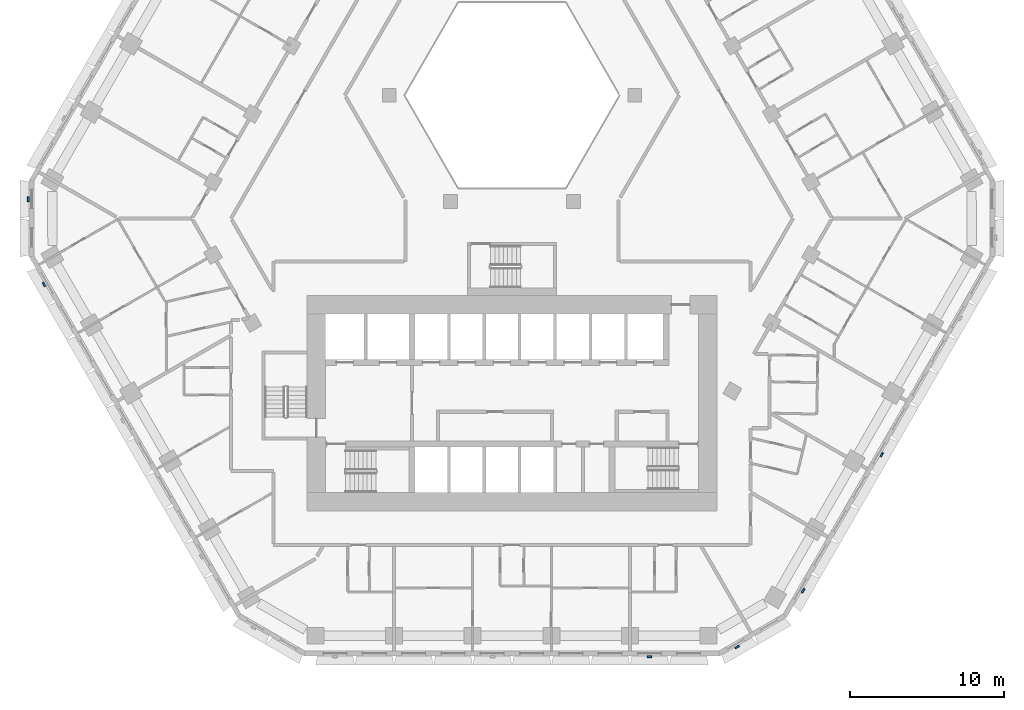
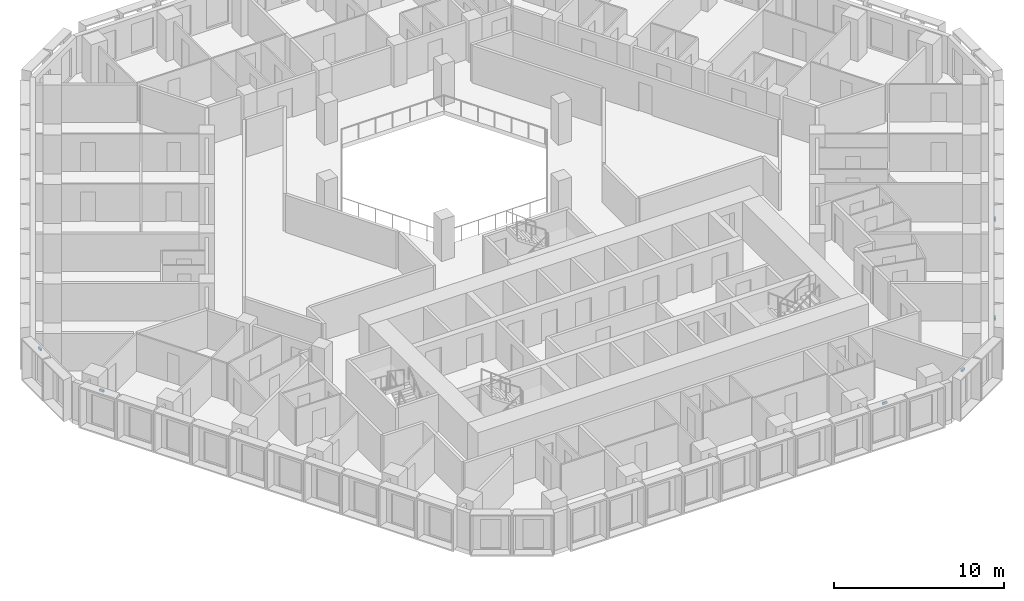
# One storey, part 13 of 21: 6 discrete accessories.
"""IFC4 building model written with IfcOpenShell, lengths in metres."""

from ifc_helpers import new_model, si_unit, direction, frame, origin, place, context, subcontext, project, spatial, polyline, outline, extrude, source, transform, mapped, material, type_object, type_shapes, element, save


model = new_model("IFC4")

# Units and contexts
model_context = context("Model", 3, precision=1e-05, world=origin(), true_north=direction((0.0, 1.0)))
body_context = subcontext(model_context, "Body", "Model", "MODEL_VIEW")
ifc_project = project(units=[si_unit("LENGTHUNIT", "METRE"), si_unit("AREAUNIT", "SQUARE_METRE"), si_unit("VOLUMEUNIT", "CUBIC_METRE"), si_unit("PLANEANGLEUNIT", "RADIAN"), si_unit("MASSUNIT", "GRAM", prefix="KILO")], contexts=[model_context])

# Site, building, storey
site_placement = place(None, origin())
site = spatial("IfcSite", under=ifc_project, at=site_placement, CompositionType="ELEMENT")
building_placement = place(site_placement, origin())
building = spatial("IfcBuilding", under=site, at=building_placement, Name="Beryl Residences", CompositionType="ELEMENT")
storey_placement = place(building_placement, frame((0.0, 0.0, 53.39990234375)))
storey = spatial("IfcBuildingStorey", under=building, at=storey_placement, Name="L16", CompositionType="ELEMENT", Elevation=53.39990234375)

# Discrete accessories
ifc_material = material(Name="Steel S355", Category="steel")
discrete_accessory_type = type_object("IfcDiscreteAccessoryType", Name="BR1 frame bracket 300 x 120 x 150 mm", PredefinedType="BRACKET", material=ifc_material)
shared_shape = source(origin(), body_context, "Body", "SweptSolid", [
    extrude(outline(polyline([(-0.14990234375, 0.0), (0.14990234375, 0.0), (0.14990234375, 0.1201171875), (-0.14990234375, 0.1201171875), (-0.14990234375, 0.0)])), origin(), (0.0, 0.0, 1.0), 0.14990234375),
])
type_shapes(discrete_accessory_type, [shared_shape])
for number, where, z_axis, x_axis, name in (
    (1, (-31.35009765625, 1.25, 2.75), (0.0, 0.0, 1.0), (0.0, 1.0, 0.0), "BR1 bracket L16 NW-SW 1"),
    (2, (-30.3359375, -4.2548828125, 2.75), (0.0, 0.0, 1.0), (-0.5, 0.866025403784, 0.0), "BR1 bracket L16 SW 1"),
    (3, (8.93310546875, -28.39990234375, 2.75), (0.0, 0.0, 1.0), (-1.0, 0.0, 0.0), "BR1 bracket L16 S 9"),
    (4, (14.593017578125, -27.77490234375, 2.75), (0.0, 0.0, 1.0), (-0.866025403784, -0.5, 0.0), "BR1 bracket L16 S-SE 1"),
    (5, (18.85400390625, -24.14501953125, 2.75), (0.0, 0.0, 1.0), (-0.5, -0.866025403784, 0.0), "BR1 bracket L16 SE 1"),
    (6, (23.9580078125, -15.303955078125, 2.75), (0.0, 0.0, 1.0), (-0.5, -0.866025403784, 0.0), "BR1 bracket L16 SE 5"),
):
    element("IfcDiscreteAccessory", number, at=place(storey_placement, frame(where, z_axis=z_axis, x_axis=x_axis)), inside=storey, type_object=discrete_accessory_type, Name=name, PredefinedType="BRACKET", context=body_context, shape_type="MappedRepresentation", body=[
        mapped(shared_shape, transform((0.0, 0.0, 0.0))),
    ])

save(model, "model.ifc")
